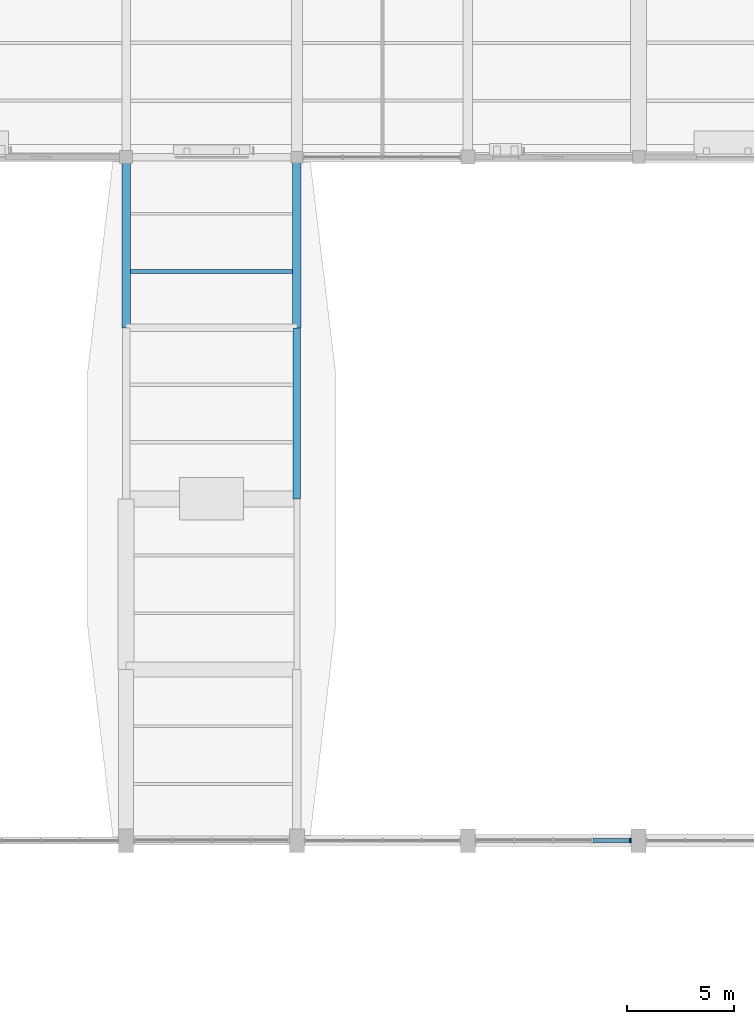
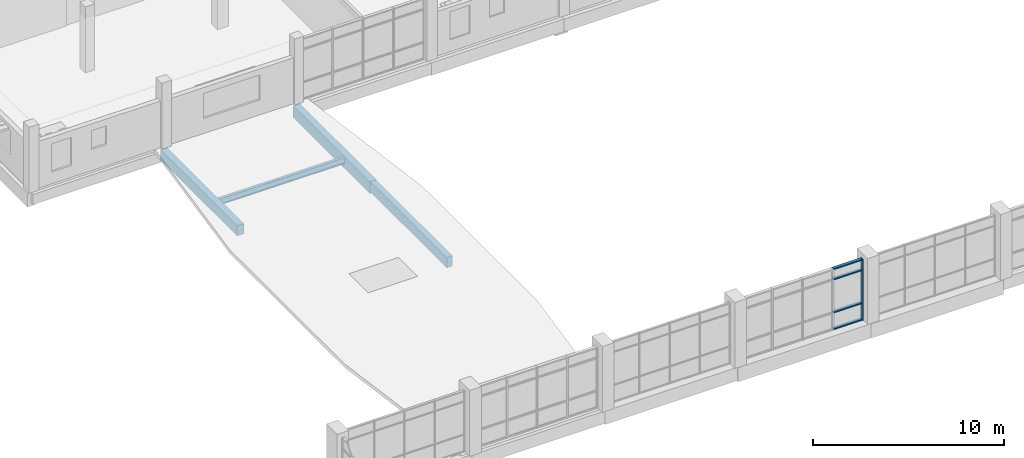
# One storey, part 9 of 72: 5 members, 4 beams, 1 element without a shape of its own.
"""IFC4 building model written with IfcOpenShell, lengths in metres."""

from ifc_helpers import new_model, si_unit, direction, frame, origin, origin_2d, place, context, subcontext, project, spatial, rectangle, i_section, extrude, material, material_profile, profile_set, type_object, element, aggregate, save


model = new_model("IFC4")

# Units and contexts
model_context = context("Model", 3, precision=1e-05, world=origin(), true_north=direction((0.0, 1.0)))
body_context = subcontext(model_context, "Body", "Model", "MODEL_VIEW")
ifc_project = project(units=[si_unit("LENGTHUNIT", "METRE"), si_unit("AREAUNIT", "SQUARE_METRE"), si_unit("VOLUMEUNIT", "CUBIC_METRE"), si_unit("PLANEANGLEUNIT", "RADIAN"), si_unit("MASSUNIT", "GRAM", prefix="KILO")], contexts=[model_context])

# Site, building, storey
site_placement = place(None, origin())
site = spatial("IfcSite", under=ifc_project, at=site_placement, CompositionType="ELEMENT")
building_placement = place(site_placement, origin())
building = spatial("IfcBuilding", under=site, at=building_placement, Name="Tenunan Teduh Sports Hall", CompositionType="ELEMENT")
storey_placement = place(building_placement, frame((0.0, 0.0, 15.0)))
storey = spatial("IfcBuildingStorey", under=building, at=storey_placement, Name="L03", CompositionType="ELEMENT", Elevation=15.0)

# Beams
ifc_material_1 = material(Name="Concrete C40/50", Category="concrete")
ifc_material_profile_1 = material_profile(ifc_material_1, rectangle(XDim=0.35009765625, YDim=0.64990234375, at=origin_2d()), Name="RCB 350x650")
ifc_profile_set_1 = profile_set([ifc_material_profile_1], Name="Concrete C40/50")
beam_type_1 = type_object("IfcBeamType", Name="BM-RC-350x650", PredefinedType="BEAM", material=ifc_profile_set_1)
beam_1_placement = place(storey_placement, frame((22.0, 62.0, -0.56494140625), z_axis=(0.0, 1.0, 0.0), x_axis=(-1.0, 0.0, 0.0)))
element("IfcBeam", 1, at=beam_1_placement, inside=storey, type_object=beam_type_1, Name="BM-B-05-L03-1896", PredefinedType="BEAM", context=body_context, shape_type="SweptSolid", body=[
    extrude(rectangle(XDim=0.35009765625, YDim=0.64990234375, at=origin_2d()), origin(), (0.0, 0.0, 1.0), 8.0),
])
ifc_material_2 = material(Name="Concrete C40/50", Category="concrete")
ifc_material_profile_2 = material_profile(ifc_material_2, rectangle(XDim=0.39990234375, YDim=0.64990234375, at=origin_2d()), Name="RCB 400x650")
ifc_profile_set_2 = profile_set([ifc_material_profile_2], Name="Concrete C40/50")
beam_type_2 = type_object("IfcBeamType", Name="BM-RC-400x650", PredefinedType="BEAM", material=ifc_profile_set_2)
beam_2_placement = place(storey_placement, frame((14.0, 70.0, -0.56494140625), z_axis=(0.0, 1.0, 0.0), x_axis=(-1.0, 0.0, 0.0)))
element("IfcBeam", 2, at=beam_2_placement, inside=storey, type_object=beam_type_2, Name="BM-B-07-L03-1888", PredefinedType="BEAM", context=body_context, shape_type="SweptSolid", body=[
    extrude(rectangle(XDim=0.39990234375, YDim=0.64990234375, at=origin_2d()), origin(), (0.0, 0.0, 1.0), 8.0),
])
ifc_material_3 = material(Name="Concrete C40/50", Category="concrete")
ifc_material_profile_3 = material_profile(ifc_material_3, rectangle(XDim=0.39990234375, YDim=0.75, at=origin_2d()), Name="RCB 400x750")
ifc_profile_set_3 = profile_set([ifc_material_profile_3], Name="Concrete C40/50")
beam_type_3 = type_object("IfcBeamType", Name="BM-RC-400x750", PredefinedType="BEAM", material=ifc_profile_set_3)
beam_3_placement = place(storey_placement, frame((22.0, 70.0, -0.614990234375), z_axis=(0.0, 1.0, 0.0), x_axis=(-1.0, 0.0, 0.0)))
element("IfcBeam", 3, at=beam_3_placement, inside=storey, type_object=beam_type_3, Name="BM-B-09-L03-1897", PredefinedType="BEAM", context=body_context, shape_type="SweptSolid", body=[
    extrude(rectangle(XDim=0.39990234375, YDim=0.75, at=origin_2d()), origin(), (0.0, 0.0, 1.0), 8.0),
])

# Curtain wall, members
ifc_material_4 = material(Name="Anodised aluminium", Category="aluminium")
curtain_wall_type = type_object("IfcCurtainWallType", Name="CW-UNIT-2", PredefinedType="NOTDEFINED", material=ifc_material_4)
curtain_wall_placement = place(storey_placement, origin())
curtain_wall = element("IfcCurtainWall", 4, at=curtain_wall_placement, inside=storey, type_object=curtain_wall_type, Name="CW-CWM-220-L03-081", PredefinedType="NOTDEFINED")
ifc_material_5 = material(Name="Anodised aluminium", Category="aluminium")
ifc_material_profile_4 = material_profile(ifc_material_5, rectangle(XDim=0.074951171875, YDim=0.219970703125, at=origin_2d()), Name="CWM 75x220")
ifc_profile_set_4 = profile_set([ifc_material_profile_4], Name="Anodised aluminium")
member_type_1 = type_object("IfcMemberType", Name="CWM-220", PredefinedType="MULLION", material=ifc_profile_set_4)
member_1_placement = place(storey_placement, frame((37.612548828125, 46.0, 0.0), z_axis=(0.0, 0.0, 1.0), x_axis=(1.0, 0.0, 0.0)))
member_1 = element("IfcMember", 5, at=member_1_placement, type_object=member_type_1, Name="CW-02 mullion 5", PredefinedType="MULLION", context=body_context, shape_type="SweptSolid", body=[
    extrude(rectangle(XDim=0.074951171875, YDim=0.219970703125, at=origin_2d()), origin(), (0.0, 0.0, 1.0), 3.89990234375),
])
ifc_material_6 = material(Name="Anodised aluminium", Category="aluminium")
ifc_material_profile_5 = material_profile(ifc_material_6, rectangle(XDim=0.074951171875, YDim=0.179931640625, at=origin_2d()), Name="CWT 75x180")
ifc_profile_set_5 = profile_set([ifc_material_profile_5], Name="Anodised aluminium")
member_type_2 = type_object("IfcMemberType", Name="CWT-180", PredefinedType="USERDEFINED", material=ifc_profile_set_5)
member_2_placement = place(storey_placement, frame((35.862548828125, 46.0, 0.03759765625), z_axis=(1.0, 0.0, 0.0), x_axis=(0.0, 0.0, 1.0)))
member_2 = element("IfcMember", 6, at=member_2_placement, type_object=member_type_2, Name="CW-02 transom 4.1", ObjectType="TRANSOM", PredefinedType="USERDEFINED", context=body_context, shape_type="SweptSolid", body=[
    extrude(rectangle(XDim=0.074951171875, YDim=0.179931640625, at=origin_2d()), origin(), (0.0, 0.0, 1.0), 1.71240234375),
])
member_3_placement = place(storey_placement, frame((35.862548828125, 46.0, 1.10009765625), z_axis=(1.0, 0.0, 0.0), x_axis=(0.0, 0.0, 1.0)))
member_3 = element("IfcMember", 7, at=member_3_placement, type_object=member_type_2, Name="CW-02 transom 4.2", ObjectType="TRANSOM", PredefinedType="USERDEFINED", context=body_context, shape_type="SweptSolid", body=[
    extrude(rectangle(XDim=0.074951171875, YDim=0.179931640625, at=origin_2d()), origin(), (0.0, 0.0, 1.0), 1.71240234375),
])
member_4_placement = place(storey_placement, frame((35.862548828125, 46.0, 3.199951171875), z_axis=(1.0, 0.0, 0.0), x_axis=(0.0, 0.0, 1.0)))
member_4 = element("IfcMember", 8, at=member_4_placement, type_object=member_type_2, Name="CW-02 transom 4.3", ObjectType="TRANSOM", PredefinedType="USERDEFINED", context=body_context, shape_type="SweptSolid", body=[
    extrude(rectangle(XDim=0.074951171875, YDim=0.179931640625, at=origin_2d()), origin(), (0.0, 0.0, 1.0), 1.71240234375),
])
member_5_placement = place(storey_placement, frame((35.862548828125, 46.0, 3.862548828125), z_axis=(1.0, 0.0, 0.0), x_axis=(0.0, 0.0, 1.0)))
member_5 = element("IfcMember", 9, at=member_5_placement, type_object=member_type_2, Name="CW-02 transom 4.4", ObjectType="TRANSOM", PredefinedType="USERDEFINED", context=body_context, shape_type="SweptSolid", body=[
    extrude(rectangle(XDim=0.074951171875, YDim=0.179931640625, at=origin_2d()), origin(), (0.0, 0.0, 1.0), 1.71240234375),
])
aggregate(curtain_wall, [member_1, member_2, member_3, member_4, member_5])

# Beam
ifc_material_7 = material(Name="Steel S355", Category="steel")
ifc_material_profile_6 = material_profile(ifc_material_7, i_section(OverallWidth=0.179931640625, OverallDepth=0.39990234375, WebThickness=0.008544921875, FlangeThickness=0.013427734375, FilletRadius=0.02099609375, at=origin_2d()), Name="IPE 400")
ifc_profile_set_6 = profile_set([ifc_material_profile_6], Name="Steel S355")
beam_type_4 = type_object("IfcBeamType", Name="JST-IPE400", PredefinedType="JOIST", material=ifc_profile_set_6)
beam_4_placement = place(storey_placement, frame((14.199951171875, 72.64990234375, -0.43994140625), z_axis=(1.0, 0.0, 0.0), x_axis=(0.0, 1.0, 0.0)))
element("IfcBeam", 10, at=beam_4_placement, inside=storey, type_object=beam_type_4, Name="BM-J-06-L03-1960", PredefinedType="JOIST", context=body_context, shape_type="SweptSolid", body=[
    extrude(i_section(OverallWidth=0.179931640625, OverallDepth=0.39990234375, WebThickness=0.008544921875, FlangeThickness=0.013427734375, FilletRadius=0.02099609375, at=origin_2d()), origin(), (0.0, 0.0, 1.0), 7.60009765625),
])

save(model, "model.ifc")
